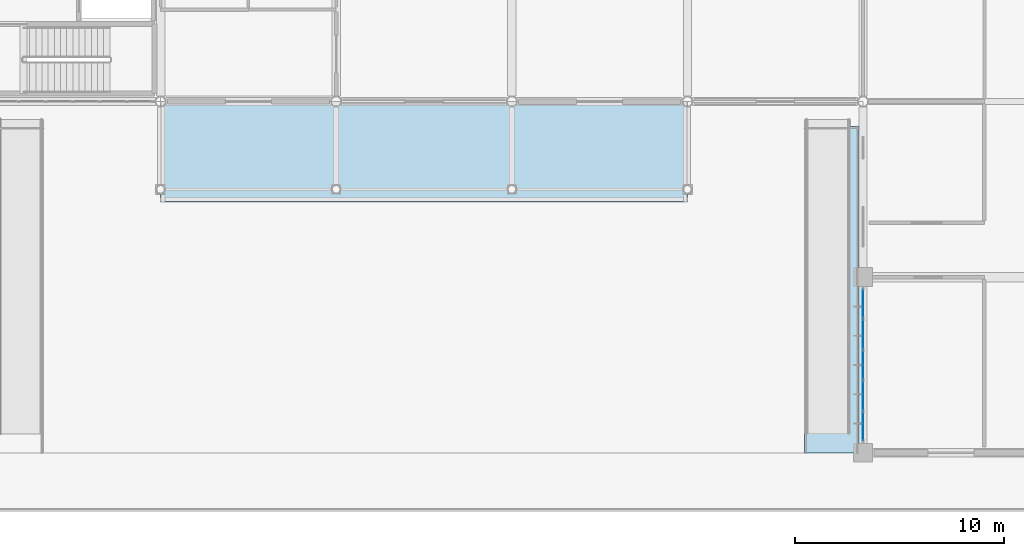
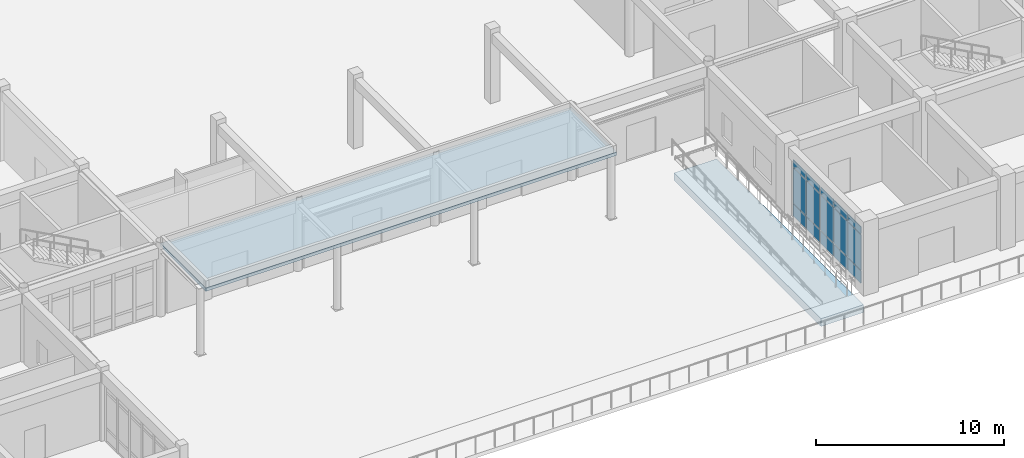
# One storey, part 66 of 138: 15 plates, 2 slabs, 1 element without a shape of its own.
"""IFC4 building model written with IfcOpenShell, lengths in metres."""

from ifc_helpers import new_model, si_unit, direction, frame, origin, origin_2d, place, context, subcontext, project, spatial, polyline, rectangle, outline, extrude, material, layer, layer_set, type_object, element, aggregate, save


model = new_model("IFC4")

# Units and contexts
model_context = context("Model", 3, precision=1e-05, world=origin(), true_north=direction((0.0, 1.0)))
body_context = subcontext(model_context, "Body", "Model", "MODEL_VIEW")
ifc_project = project(units=[si_unit("LENGTHUNIT", "METRE"), si_unit("AREAUNIT", "SQUARE_METRE"), si_unit("VOLUMEUNIT", "CUBIC_METRE"), si_unit("PLANEANGLEUNIT", "RADIAN"), si_unit("MASSUNIT", "GRAM", prefix="KILO")], contexts=[model_context])

# Site, building, storey
site_placement = place(None, origin())
site = spatial("IfcSite", under=ifc_project, at=site_placement, CompositionType="ELEMENT")
building_placement = place(site_placement, origin())
building = spatial("IfcBuilding", under=site, at=building_placement, Name="Bramfleet General Hospital", CompositionType="ELEMENT")
storey_placement = place(building_placement, origin())
storey = spatial("IfcBuildingStorey", under=building, at=storey_placement, Name="L00", CompositionType="ELEMENT", Elevation=0.0)

# Curtain wall, plates
ifc_material_1 = material(Name="Anodised aluminium and low-E triple glazing", Category="aluminium")
ifc_layer_1 = layer(ifc_material_1, 0.179931640625, Name="CWT-CW-17")
ifc_layer_set_1 = layer_set([ifc_layer_1], Name="Anodised aluminium and low-E triple glazing")
curtain_wall_type = type_object("IfcCurtainWallType", Name="CWT-CW-17", PredefinedType="USERDEFINED", material=ifc_layer_set_1)
curtain_wall_placement = place(storey_placement, origin())
curtain_wall = element("IfcCurtainWall", 1, at=curtain_wall_placement, inside=storey, type_object=curtain_wall_type, Name="L00 Curtain Wall 35", ObjectType="Stick curtain wall", PredefinedType="USERDEFINED")
ifc_material_2 = material(Name="Low-E laminated safety glass", Category="glass")
ifc_layer_2 = layer(ifc_material_2, 0.035888671875, Name="CWP-GLZ-3")
ifc_layer_set_2 = layer_set([ifc_layer_2], Name="Low-E laminated safety glass")
plate_type = type_object("IfcPlateType", Name="CWP-GLZ-3", PredefinedType="CURTAIN_PANEL", material=ifc_layer_set_2)
plate_1_placement = place(storey_placement, frame((92.39990234375, 1.277587890625, 0.06494140625), z_axis=(0.0, 0.0, 1.0), x_axis=(0.0, 1.0, 0.0)))
plate_1 = element("IfcPlate", 2, at=plate_1_placement, type_object=plate_type, Name="CW-17 panel 1.1", PredefinedType="CURTAIN_PANEL", context=body_context, shape_type="SweptSolid", body=[
    extrude(rectangle(XDim=1.364990234375, YDim=0.035888671875, at=origin_2d()), origin(), (0.0, 0.0, 1.0), 0.802490234375),
])
plate_2_placement = place(storey_placement, frame((92.39990234375, 1.277587890625, 0.9326171875), z_axis=(0.0, 0.0, 1.0), x_axis=(0.0, 1.0, 0.0)))
plate_2 = element("IfcPlate", 3, at=plate_2_placement, type_object=plate_type, Name="CW-17 panel 1.2", PredefinedType="CURTAIN_PANEL", context=body_context, shape_type="SweptSolid", body=[
    extrude(rectangle(XDim=1.364990234375, YDim=0.035888671875, at=origin_2d()), origin(), (0.0, 0.0, 1.0), 2.27490234375),
])
plate_3_placement = place(storey_placement, frame((92.39990234375, 1.277587890625, 3.2724609375), z_axis=(0.0, 0.0, 1.0), x_axis=(0.0, 1.0, 0.0)))
plate_3 = element("IfcPlate", 4, at=plate_3_placement, type_object=plate_type, Name="CW-17 panel 1.3", PredefinedType="CURTAIN_PANEL", context=body_context, shape_type="SweptSolid", body=[
    extrude(rectangle(XDim=1.364990234375, YDim=0.035888671875, at=origin_2d()), origin(), (0.0, 0.0, 1.0), 0.452392578125),
])
plate_4_placement = place(storey_placement, frame((92.39990234375, 2.72998046875, 0.06494140625), z_axis=(0.0, 0.0, 1.0), x_axis=(0.0, 1.0, 0.0)))
plate_4 = element("IfcPlate", 5, at=plate_4_placement, type_object=plate_type, Name="CW-17 panel 2.1", PredefinedType="CURTAIN_PANEL", context=body_context, shape_type="SweptSolid", body=[
    extrude(rectangle(XDim=1.39990234375, YDim=0.035888671875, at=origin_2d()), origin(), (0.0, 0.0, 1.0), 0.802490234375),
])
plate_5_placement = place(storey_placement, frame((92.39990234375, 2.72998046875, 0.9326171875), z_axis=(0.0, 0.0, 1.0), x_axis=(0.0, 1.0, 0.0)))
plate_5 = element("IfcPlate", 6, at=plate_5_placement, type_object=plate_type, Name="CW-17 panel 2.2", PredefinedType="CURTAIN_PANEL", context=body_context, shape_type="SweptSolid", body=[
    extrude(rectangle(XDim=1.39990234375, YDim=0.035888671875, at=origin_2d()), origin(), (0.0, 0.0, 1.0), 2.27490234375),
])
plate_6_placement = place(storey_placement, frame((92.39990234375, 2.72998046875, 3.2724609375), z_axis=(0.0, 0.0, 1.0), x_axis=(0.0, 1.0, 0.0)))
plate_6 = element("IfcPlate", 7, at=plate_6_placement, type_object=plate_type, Name="CW-17 panel 2.3", PredefinedType="CURTAIN_PANEL", context=body_context, shape_type="SweptSolid", body=[
    extrude(rectangle(XDim=1.39990234375, YDim=0.035888671875, at=origin_2d()), origin(), (0.0, 0.0, 1.0), 0.452392578125),
])
plate_7_placement = place(storey_placement, frame((92.39990234375, 4.199951171875, 0.06494140625), z_axis=(0.0, 0.0, 1.0), x_axis=(0.0, 1.0, 0.0)))
plate_7 = element("IfcPlate", 8, at=plate_7_placement, type_object=plate_type, Name="CW-17 panel 3.1", PredefinedType="CURTAIN_PANEL", context=body_context, shape_type="SweptSolid", body=[
    extrude(rectangle(XDim=1.39990234375, YDim=0.035888671875, at=origin_2d()), origin(), (0.0, 0.0, 1.0), 0.802490234375),
])
plate_8_placement = place(storey_placement, frame((92.39990234375, 4.199951171875, 0.9326171875), z_axis=(0.0, 0.0, 1.0), x_axis=(0.0, 1.0, 0.0)))
plate_8 = element("IfcPlate", 9, at=plate_8_placement, type_object=plate_type, Name="CW-17 panel 3.2", PredefinedType="CURTAIN_PANEL", context=body_context, shape_type="SweptSolid", body=[
    extrude(rectangle(XDim=1.39990234375, YDim=0.035888671875, at=origin_2d()), origin(), (0.0, 0.0, 1.0), 2.27490234375),
])
plate_9_placement = place(storey_placement, frame((92.39990234375, 4.199951171875, 3.2724609375), z_axis=(0.0, 0.0, 1.0), x_axis=(0.0, 1.0, 0.0)))
plate_9 = element("IfcPlate", 10, at=plate_9_placement, type_object=plate_type, Name="CW-17 panel 3.3", PredefinedType="CURTAIN_PANEL", context=body_context, shape_type="SweptSolid", body=[
    extrude(rectangle(XDim=1.39990234375, YDim=0.035888671875, at=origin_2d()), origin(), (0.0, 0.0, 1.0), 0.452392578125),
])
plate_10_placement = place(storey_placement, frame((92.39990234375, 5.669921875, 0.06494140625), z_axis=(0.0, 0.0, 1.0), x_axis=(0.0, 1.0, 0.0)))
plate_10 = element("IfcPlate", 11, at=plate_10_placement, type_object=plate_type, Name="CW-17 panel 4.1", PredefinedType="CURTAIN_PANEL", context=body_context, shape_type="SweptSolid", body=[
    extrude(rectangle(XDim=1.39990234375, YDim=0.035888671875, at=origin_2d()), origin(), (0.0, 0.0, 1.0), 0.802490234375),
])
plate_11_placement = place(storey_placement, frame((92.39990234375, 5.669921875, 0.9326171875), z_axis=(0.0, 0.0, 1.0), x_axis=(0.0, 1.0, 0.0)))
plate_11 = element("IfcPlate", 12, at=plate_11_placement, type_object=plate_type, Name="CW-17 panel 4.2", PredefinedType="CURTAIN_PANEL", context=body_context, shape_type="SweptSolid", body=[
    extrude(rectangle(XDim=1.39990234375, YDim=0.035888671875, at=origin_2d()), origin(), (0.0, 0.0, 1.0), 2.27490234375),
])
plate_12_placement = place(storey_placement, frame((92.39990234375, 5.669921875, 3.2724609375), z_axis=(0.0, 0.0, 1.0), x_axis=(0.0, 1.0, 0.0)))
plate_12 = element("IfcPlate", 13, at=plate_12_placement, type_object=plate_type, Name="CW-17 panel 4.3", PredefinedType="CURTAIN_PANEL", context=body_context, shape_type="SweptSolid", body=[
    extrude(rectangle(XDim=1.39990234375, YDim=0.035888671875, at=origin_2d()), origin(), (0.0, 0.0, 1.0), 0.452392578125),
])
plate_13_placement = place(storey_placement, frame((92.39990234375, 7.12255859375, 0.06494140625), z_axis=(0.0, 0.0, 1.0), x_axis=(0.0, 1.0, 0.0)))
plate_13 = element("IfcPlate", 14, at=plate_13_placement, type_object=plate_type, Name="CW-17 panel 5.1", PredefinedType="CURTAIN_PANEL", context=body_context, shape_type="SweptSolid", body=[
    extrude(rectangle(XDim=1.364990234375, YDim=0.035888671875, at=origin_2d()), origin(), (0.0, 0.0, 1.0), 0.802490234375),
])
plate_14_placement = place(storey_placement, frame((92.39990234375, 7.12255859375, 0.9326171875), z_axis=(0.0, 0.0, 1.0), x_axis=(0.0, 1.0, 0.0)))
plate_14 = element("IfcPlate", 15, at=plate_14_placement, type_object=plate_type, Name="CW-17 panel 5.2", PredefinedType="CURTAIN_PANEL", context=body_context, shape_type="SweptSolid", body=[
    extrude(rectangle(XDim=1.364990234375, YDim=0.035888671875, at=origin_2d()), origin(), (0.0, 0.0, 1.0), 2.27490234375),
])
plate_15_placement = place(storey_placement, frame((92.39990234375, 7.12255859375, 3.2724609375), z_axis=(0.0, 0.0, 1.0), x_axis=(0.0, 1.0, 0.0)))
plate_15 = element("IfcPlate", 16, at=plate_15_placement, type_object=plate_type, Name="CW-17 panel 5.3", PredefinedType="CURTAIN_PANEL", context=body_context, shape_type="SweptSolid", body=[
    extrude(rectangle(XDim=1.364990234375, YDim=0.035888671875, at=origin_2d()), origin(), (0.0, 0.0, 1.0), 0.452392578125),
])
aggregate(curtain_wall, [plate_1, plate_2, plate_3, plate_4, plate_5, plate_6, plate_7, plate_8, plate_9, plate_10, plate_11, plate_12, plate_13, plate_14, plate_15])

# Slabs
ifc_material_3 = material(Name="Concrete C35/45", Category="concrete")
ifc_layer_3 = layer(ifc_material_3, 0.5, Name="SL-BASE-500")
ifc_layer_set_3 = layer_set([ifc_layer_3], Name="Concrete C35/45")
slab_type_1 = type_object("IfcSlabType", Name="SL-BASE-500", PredefinedType="BASESLAB", material=ifc_layer_set_3)
slab_1_placement = place(storey_placement, frame((0.0, 0.0, -1.39990234375)))
element("IfcSlab", 17, at=slab_1_placement, inside=storey, type_object=slab_type_1, Name="Grounded Ramp Pocket Slab 2", PredefinedType="BASESLAB", context=body_context, shape_type="SweptSolid", body=[
    extrude(outline(polyline([(89.60009765625, 0.0), (92.199951171875, 0.0), (92.199951171875, 15.60009765625), (89.60009765625, 15.60009765625), (89.60009765625, 0.0)])), origin(), (0.0, 0.0, 1.0), 0.5),
])
ifc_layer_4 = layer(ifc_material_3, 0.219970703125, Name="SL-RF-220")
ifc_layer_set_4 = layer_set([ifc_layer_4], Name="Concrete C35/45")
slab_type_2 = type_object("IfcSlabType", Name="SL-RF-220", PredefinedType="ROOF", material=ifc_layer_set_4)
slab_2_placement = place(storey_placement, frame((0.0, 0.0, 4.3798828125)))
element("IfcSlab", 18, at=slab_2_placement, inside=storey, type_object=slab_type_2, Name="Main Entrance Canopy Roof Deck", PredefinedType="ROOF", context=body_context, shape_type="SweptSolid", body=[
    extrude(outline(polyline([(58.800048828125, 12.0), (84.0, 12.0), (84.0, 16.800048828125), (58.800048828125, 16.800048828125), (58.800048828125, 12.0)])), origin(), (0.0, 0.0, 1.0), 0.22021484375),
])

save(model, "model.ifc")
